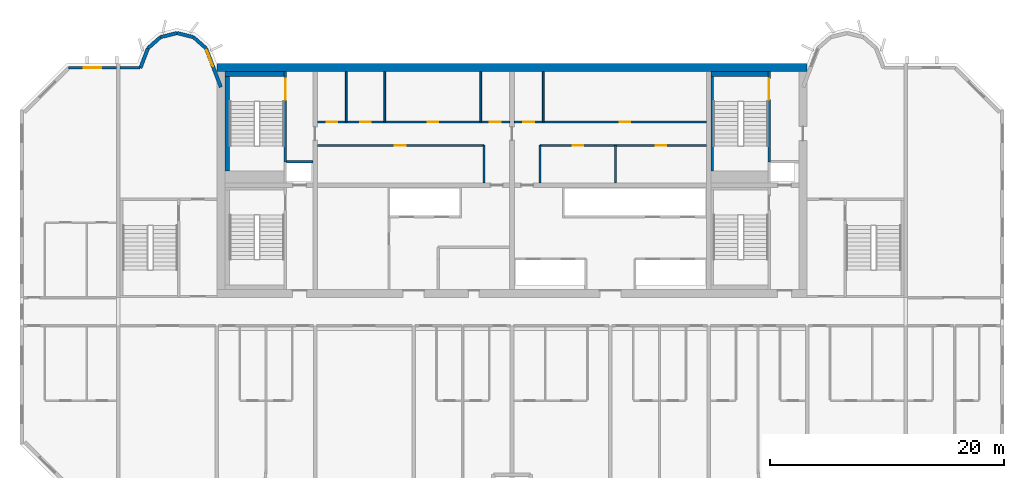
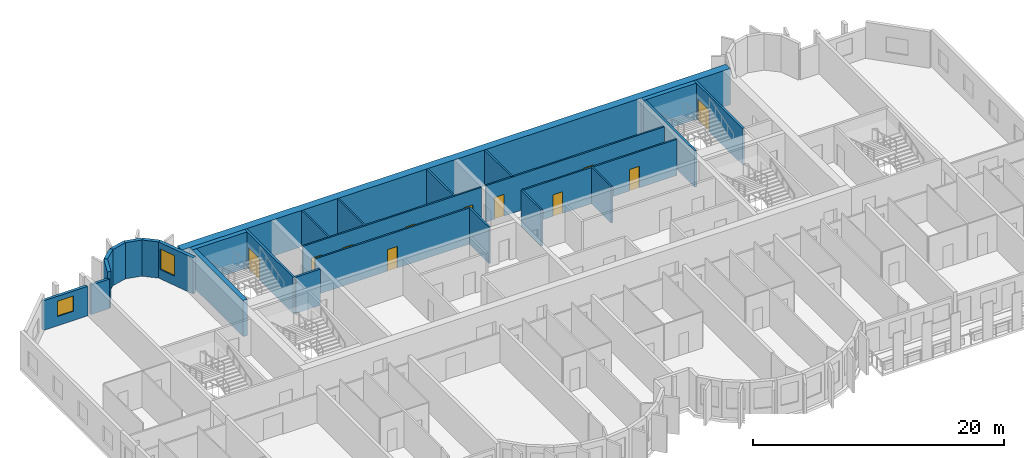
# One storey, part 7 of 13: 27 walls, 11 doors, 2 windows, 13 openings.
"""IFC4 building model written with IfcOpenShell, lengths in metres."""

import ifcopenshell
import ifcopenshell.guid

model = None  # the IFC model being written
_history = None  # IfcOwnerHistory: only IFC2X3 demands one
_inside = {}  # id of a spatial element -> (the spatial element, [elements in it])
_under = {}  # id of a project, library or spatial element -> (it, [spatial elements below it])
_declared = {}  # id of a project -> (the project, [libraries it declares])
_typed = {}  # id of a type object -> (the type object, [elements of that type])
_made_of = {}  # id of a material, layer set ... -> (it, [elements and type objects made of it])


def new_model(schema):
    """Start an empty IFC model of exactly this schema.

    Asked for "IFC4X3", IfcOpenShell would pick the latest addendum, in which some entities
    have other attributes; the version numbers below select the first issue.
    IFC2X3 requires an IfcOwnerHistory on every rooted entity: one is made here for all.
    """
    global model, _history
    if schema == "IFC4X3":
        model = ifcopenshell.file(schema_version=(4, 3, 0, 0))
    else:
        model = ifcopenshell.file(schema=schema)
    _inside.clear()
    _under.clear()
    _declared.clear()
    _typed.clear()
    _made_of.clear()
    _history = None
    if model.schema == "IFC2X3":
        org = make("IfcOrganization", Name="unknown")
        user = make(
            "IfcPersonAndOrganization",
            ThePerson=make("IfcPerson", FamilyName="unknown"),
            TheOrganization=org,
        )
        app = make(
            "IfcApplication",
            ApplicationDeveloper=org,
            Version="unknown",
            ApplicationFullName="unknown",
            ApplicationIdentifier="unknown",
        )
        _history = make(
            "IfcOwnerHistory",
            OwningUser=user,
            OwningApplication=app,
            ChangeAction="ADDED",
            CreationDate=0,
        )
    return model


def make(cls, **values):
    """One entity of the class cls with the attributes given. An attribute that is None is left unset."""
    return model.create_entity(
        cls, **{name: value for name, value in values.items() if value is not None}
    )


def rooted(cls, **values):
    """An entity with a GlobalId (a new one), such as an element, a storey or a relation."""
    return make(cls, GlobalId=ifcopenshell.guid.new(), OwnerHistory=_history, **values)


def si_unit(unit_type, name, prefix=None):
    """IfcSIUnit, for example si_unit("LENGTHUNIT", "METRE", prefix="MILLI")."""
    return make("IfcSIUnit", UnitType=unit_type, Prefix=prefix, Name=name)


def assignment(units):
    """IfcUnitAssignment: the units of a project."""
    return None if units is None else make("IfcUnitAssignment", Units=units)


def point(xyz):
    """IfcCartesianPoint."""
    return None if xyz is None else make("IfcCartesianPoint", Coordinates=xyz)


def direction(xyz):
    """IfcDirection."""
    return None if xyz is None else make("IfcDirection", DirectionRatios=xyz)


def frame(location, z_axis=None, x_axis=None):
    """IfcAxis2Placement3D, a coordinate frame: its origin and axes. An axis left out is left unset."""
    return make(
        "IfcAxis2Placement3D",
        Location=point(location),
        Axis=direction(z_axis),
        RefDirection=direction(x_axis),
    )


def frame_2d(location, x_axis=None):
    """IfcAxis2Placement2D, a coordinate frame in the plane: its origin and x axis."""
    return make(
        "IfcAxis2Placement2D", Location=point(location), RefDirection=direction(x_axis)
    )


def origin():
    """The frame at (0, 0, 0) with its axes left unset."""
    return frame((0.0, 0.0, 0.0))


def place(relative_to, where):
    """IfcLocalPlacement: puts the frame where relative to a parent placement (None: the world)."""
    return make(
        "IfcLocalPlacement", PlacementRelTo=relative_to, RelativePlacement=where
    )


def context(
    kind, dimensions, precision=None, world=None, true_north=None, identifier=None
):
    """IfcGeometricRepresentationContext, for example the 3D "Model" context."""
    return make(
        "IfcGeometricRepresentationContext",
        ContextIdentifier=identifier,
        ContextType=kind,
        CoordinateSpaceDimension=dimensions,
        Precision=precision,
        WorldCoordinateSystem=world,
        TrueNorth=true_north,
    )


def subcontext(parent, identifier, kind, view, scale=None):
    """IfcGeometricRepresentationSubContext, for example "Body" below "Model"."""
    return make(
        "IfcGeometricRepresentationSubContext",
        ContextIdentifier=identifier,
        ContextType=kind,
        ParentContext=parent,
        TargetScale=scale,
        TargetView=view,
    )


def project(units=None, contexts=None):
    """IfcProject with its units and contexts."""
    return rooted(
        "IfcProject",
        Name="project",
        RepresentationContexts=contexts,
        UnitsInContext=assignment(units),
    )


def spatial(cls, under=None, at=None, **own):
    """A site, building, storey or space (cls), placed at a placement, below another one or the project."""
    s = rooted(cls, ObjectPlacement=at, **own)
    if under is not None:
        _under.setdefault(under.id(), (under, []))[1].append(s)
    return s


def profile(cls, at=None, kind="AREA", **sizes):
    """A parametric profile (cls). Its sizes go by their IFC names, for example OverallWidth=200.0."""
    return make(cls, ProfileType=kind, Position=at, **sizes)


def rectangle(**sizes):
    """IfcRectangleProfileDef."""
    return profile("IfcRectangleProfileDef", **sizes)


def extrude(swept, where, along, depth):
    """IfcExtrudedAreaSolid: the profile swept, set in the frame where, extruded along a direction by depth."""
    return make(
        "IfcExtrudedAreaSolid",
        SweptArea=swept,
        Position=where,
        ExtrudedDirection=direction(along),
        Depth=depth,
    )


def shape(context_of_items, identifier, shape_type, items):
    """IfcShapeRepresentation: the items that make up one representation, for example the "Body"."""
    return make(
        "IfcShapeRepresentation",
        ContextOfItems=context_of_items,
        RepresentationIdentifier=identifier,
        RepresentationType=shape_type,
        Items=items,
    )


def source(mapping_origin, context_of_items, identifier, shape_type, items):
    """IfcRepresentationMap: a shape defined once, which mapped items show again and again."""
    return make(
        "IfcRepresentationMap",
        MappingOrigin=mapping_origin,
        MappedRepresentation=shape(context_of_items, identifier, shape_type, items),
    )


def transform(
    local_origin,
    x_axis=None,
    y_axis=None,
    z_axis=None,
    scale=None,
    scale2=None,
    scale3=None,
    uniform=True,
):
    """IfcCartesianTransformationOperator3D, or its non-uniform kind. x_axis, y_axis, z_axis: its Axis1, 2, 3."""
    if uniform:
        return make(
            "IfcCartesianTransformationOperator3D",
            Axis1=direction(x_axis),
            Axis2=direction(y_axis),
            LocalOrigin=point(local_origin),
            Scale=scale,
            Axis3=direction(z_axis),
        )
    return make(
        "IfcCartesianTransformationOperator3DnonUniform",
        Axis1=direction(x_axis),
        Axis2=direction(y_axis),
        LocalOrigin=point(local_origin),
        Scale=scale,
        Axis3=direction(z_axis),
        Scale2=scale2,
        Scale3=scale3,
    )


def mapped(mapping_source, mapping_target):
    """IfcMappedItem: shows the shape of a source again, moved by a transform."""
    return make(
        "IfcMappedItem", MappingSource=mapping_source, MappingTarget=mapping_target
    )


def material(Name=None, Category=None):
    """IfcMaterial."""
    return make("IfcMaterial", Name=Name, Category=Category)


def layer(
    of_material, thickness, ventilated=None, Name=None, Category=None, Priority=None
):
    """IfcMaterialLayer: one layer of a wall or slab, of a material (None: an air gap)."""
    return make(
        "IfcMaterialLayer",
        Material=of_material,
        LayerThickness=thickness,
        IsVentilated=ventilated,
        Name=Name,
        Category=Category,
        Priority=Priority,
    )


def layer_set(layers, Name=None):
    """IfcMaterialLayerSet."""
    return make("IfcMaterialLayerSet", MaterialLayers=layers, LayerSetName=Name)


def made_of(thing, what):
    """Note that an element or type object is made of a material, layer set ...; save() writes the relation."""
    if what is not None:
        _made_of.setdefault(what.id(), (what, []))[1].append(thing)
    return thing


def type_object(cls, material=None, **own):
    """A type object (cls), such as IfcWallType, which elements share."""
    return made_of(rooted(cls, **own), material)


def element(
    cls,
    number,
    at=None,
    inside=None,
    cuts=None,
    type_object=None,
    material=None,
    context=None,
    identifier="Body",
    shape_type=None,
    held_by="IfcProductDefinitionShape",
    body=None,
    shapes=None,
    **own,
):
    """One element of the class cls, such as IfcWall. Its Tag is "e" and its number.

    at: its placement. inside: the storey or other place that contains it. cuts: it is an
    opening in that element (IfcRelVoidsElement). A single representation is given by context,
    identifier, shape_type and body (its items); several are given by shapes. held_by: the class
    of the entity that holds the representations. save() writes the other relations.
    """
    e = rooted(cls, Tag="e%d" % number, ObjectPlacement=at, **own)
    if body is not None:
        shapes = [shape(context, identifier, shape_type, body)]
    if shapes is not None:
        e.Representation = make(held_by, Representations=shapes)
    if inside is not None:
        _inside.setdefault(inside.id(), (inside, []))[1].append(e)
    if cuts is not None:
        rooted(
            "IfcRelVoidsElement", RelatingBuildingElement=cuts, RelatedOpeningElement=e
        )
    if type_object is not None:
        _typed.setdefault(type_object.id(), (type_object, []))[1].append(e)
    return made_of(e, material)


def fill(opening, filler):
    """IfcRelFillsElement: the door or window that sits in an opening."""
    return rooted(
        "IfcRelFillsElement",
        RelatingOpeningElement=opening,
        RelatedBuildingElement=filler,
    )


def aggregate(whole, parts):
    """IfcRelAggregates: a whole, such as a stair, and the parts it consists of."""
    return rooted("IfcRelAggregates", RelatingObject=whole, RelatedObjects=parts)


def save(model, path):
    """Write the relations noted so far, then the file.

    IfcRelAggregates (storeys below a building ...), IfcRelContainedInSpatialStructure (elements
    in a storey), IfcRelDefinesByType, IfcRelAssociatesMaterial and IfcRelDeclares: one each for
    every whole, place, type object, material and project.
    """
    for whole, parts in _under.values():
        aggregate(whole, parts)
    for where, things in _inside.values():
        rooted(
            "IfcRelContainedInSpatialStructure",
            RelatedElements=things,
            RelatingStructure=where,
        )
    for kind, things in _typed.values():
        rooted("IfcRelDefinesByType", RelatedObjects=things, RelatingType=kind)
    for what, things in _made_of.values():
        rooted("IfcRelAssociatesMaterial", RelatedObjects=things, RelatingMaterial=what)
    for by, libraries in _declared.values():
        rooted("IfcRelDeclares", RelatingContext=by, RelatedDefinitions=libraries)
    model.write(path)


model = new_model("IFC4")

# Units and contexts
model_context = context("Model", 3, precision=1e-05, world=origin(), true_north=direction((0.0, 1.0)))
body_context = subcontext(model_context, "Body", "Model", "MODEL_VIEW")
ifc_project = project(units=[si_unit("LENGTHUNIT", "METRE"), si_unit("AREAUNIT", "SQUARE_METRE"), si_unit("VOLUMEUNIT", "CUBIC_METRE"), si_unit("PLANEANGLEUNIT", "RADIAN"), si_unit("MASSUNIT", "GRAM", prefix="KILO")], contexts=[model_context])

# Site, building, storey
site_placement = place(None, origin())
site = spatial("IfcSite", under=ifc_project, at=site_placement, CompositionType="ELEMENT")
building_placement = place(site_placement, origin())
building = spatial("IfcBuilding", under=site, at=building_placement, Name="Vanashikhar Sky Hotel", CompositionType="ELEMENT")
storey_placement = place(building_placement, frame((0.0, 0.0, 151.60009765625)))
storey = spatial("IfcBuildingStorey", under=building, at=storey_placement, Name="L36", CompositionType="ELEMENT", Elevation=151.60009765625)

# Wall
ifc_material_1 = material(Name="Concrete M60", Category="concrete")
ifc_layer_1 = layer(ifc_material_1, 0.699951171875)
ifc_layer_set_1 = layer_set([ifc_layer_1], Name="RC core shell wall 700 Concrete M60")
wall_type_1 = type_object("IfcWallType", Name="RC core shell wall 700 Concrete M60", PredefinedType="SHEAR", material=ifc_layer_set_1)
shared_shape_1 = source(origin(), body_context, "Body", "SweptSolid", [
    extrude(rectangle(XDim=50.400146484375, YDim=0.699951171875, at=frame_2d((25.2001953125, 0.0))), origin(), (0.0, 0.0, 1.0), 3.52001953125),
])
wall_1_placement = place(storey_placement, frame((25.199951171875, 41.64990234375, 0.0), z_axis=(0.0, 0.0, 1.0), x_axis=(1.0, 0.0, 0.0)))
element("IfcWall", 1, at=wall_1_placement, inside=storey, type_object=wall_type_1, Name="KW-L36-KN", PredefinedType="SHEAR", context=body_context, shape_type="MappedRepresentation", body=[
    mapped(shared_shape_1, transform((0.0, 0.0, 0.0), scale=1.0)),
])

# Wall, opening, window
ifc_material_2 = material(Name="Concrete M50", Category="concrete")
ifc_layer_2 = layer(ifc_material_2, 0.300048828125)
ifc_layer_set_2 = layer_set([ifc_layer_2], Name="Lobe wall 300")
wall_type_2 = type_object("IfcWallType", Name="Lobe wall 300", PredefinedType="SOLIDWALL", material=ifc_layer_set_2)
shared_shape_2 = source(origin(), body_context, "Body", "SweptSolid", [
    extrude(rectangle(XDim=3.55908203125, YDim=0.300048828125, at=frame_2d((1.779541015625, 0.0))), origin(), (0.0, 0.0, 1.0), 3.52001953125),
])
wall_2_placement = place(storey_placement, frame((25.550048828125, 39.968505859375, 0.0), z_axis=(0.0, 0.0, 1.0), x_axis=(-0.35779745313, 0.933799219604, 0.0)))
wall_2 = element("IfcWall", 2, at=wall_2_placement, inside=storey, type_object=wall_type_2, Name="Lobe wall", PredefinedType="SOLIDWALL", context=body_context, shape_type="MappedRepresentation", body=[
    mapped(shared_shape_2, transform((0.0, 0.0, 0.0), scale=1.0)),
])
shared_shape_3 = source(origin(), body_context, "Body", "SweptSolid", [
    extrude(rectangle(XDim=1.5, YDim=2.0, at=frame_2d((0.75, 1.0))), frame((0.0, 0.16015625, 0.0), z_axis=(0.0, -1.0, 0.0), x_axis=(1.0, 0.0, 0.0)), (0.0, 0.0, 1.0), 0.320068359375),
])
opening_1_placement = place(wall_2_placement, frame((1.9033203125, 0.0, 0.89990234375)))
opening_1 = element("IfcOpeningElement", 3, at=opening_1_placement, cuts=wall_2, Name="Opening WN-2", PredefinedType="OPENING", context=body_context, shape_type="MappedRepresentation", body=[
    mapped(shared_shape_3, transform((0.0, 0.0, 0.0), scale=1.0)),
])
ifc_material_3 = material(Name="Glass", Category="glass")
window_type_1 = type_object("IfcWindowType", Name="Lobe window 1500 x 2000", PartitioningType="SINGLE_PANEL", PredefinedType="WINDOW", material=ifc_material_3)
shared_shape_4 = source(origin(), body_context, "Body", "SweptSolid", [
    extrude(rectangle(XDim=1.5, YDim=2.0, at=frame_2d((0.75, 1.0))), frame((0.0, 0.030029296875, 0.0), z_axis=(0.0, -1.0, 0.0), x_axis=(1.0, 0.0, 0.0)), (0.0, 0.0, 1.0), 0.06005859375),
])
window_1_placement = place(opening_1_placement, origin())
window_1 = element("IfcWindow", 4, at=window_1_placement, inside=storey, type_object=window_type_1, Name="Window WN-2", OverallHeight=2.0, OverallWidth=1.5, PartitioningType="SINGLE_PANEL", PredefinedType="WINDOW", context=body_context, shape_type="MappedRepresentation", body=[
    mapped(shared_shape_4, transform((0.0, 0.0, 0.0), scale=1.0)),
])
fill(opening_1, window_1)

# Walls
shared_shape_5 = source(origin(), body_context, "Body", "SweptSolid", [
    extrude(rectangle(XDim=1.440185546875, YDim=0.300048828125, at=frame_2d((0.72021484375, 0.0))), origin(), (0.0, 0.0, 1.0), 3.52001953125),
])
wall_3_placement = place(storey_placement, frame((24.276611328125, 43.2919921875, 0.0), z_axis=(0.0, 0.0, 1.0), x_axis=(-0.749649827867, 0.661834673902, 0.0)))
element("IfcWall", 5, at=wall_3_placement, inside=storey, type_object=wall_type_2, Name="Lobe wall", PredefinedType="SOLIDWALL", context=body_context, shape_type="MappedRepresentation", body=[
    mapped(shared_shape_5, transform((0.0, 0.0, 0.0), scale=1.0)),
])
shared_shape_6 = source(origin(), body_context, "Body", "SweptSolid", [
    extrude(rectangle(XDim=1.4384765625, YDim=0.300048828125, at=frame_2d((0.71923828125, 0.0))), origin(), (0.0, 0.0, 1.0), 3.52001953125),
])
wall_4_placement = place(storey_placement, frame((23.197021484375, 44.2451171875, 0.0), z_axis=(0.0, 0.0, 1.0), x_axis=(-0.971152283879, 0.238460146601, 0.0)))
element("IfcWall", 6, at=wall_4_placement, inside=storey, type_object=wall_type_2, Name="Lobe wall", PredefinedType="SOLIDWALL", context=body_context, shape_type="MappedRepresentation", body=[
    mapped(shared_shape_6, transform((0.0, 0.0, 0.0), scale=1.0)),
])
shared_shape_7 = source(origin(), body_context, "Body", "SweptSolid", [
    extrude(rectangle(XDim=1.438720703125, YDim=0.300048828125, at=frame_2d((0.71923828125, 0.0))), origin(), (0.0, 0.0, 1.0), 3.52001953125),
])
wall_5_placement = place(storey_placement, frame((21.800048828125, 44.588134765625, 0.0), z_axis=(0.0, 0.0, 1.0), x_axis=(-0.971161932466, -0.238420848351, 0.0)))
element("IfcWall", 7, at=wall_5_placement, inside=storey, type_object=wall_type_2, Name="Lobe wall", PredefinedType="SOLIDWALL", context=body_context, shape_type="MappedRepresentation", body=[
    mapped(shared_shape_7, transform((0.0, 0.0, 0.0), scale=1.0)),
])
shared_shape_8 = source(origin(), body_context, "Body", "SweptSolid", [
    extrude(rectangle(XDim=1.43994140625, YDim=0.300048828125, at=frame_2d((0.719970703125, 0.0))), origin(), (0.0, 0.0, 1.0), 3.52001953125),
])
wall_6_placement = place(storey_placement, frame((20.40283203125, 44.2451171875, 0.0), z_axis=(0.0, 0.0, 1.0), x_axis=(-0.74957555648, -0.661918790432, 0.0)))
element("IfcWall", 8, at=wall_6_placement, inside=storey, type_object=wall_type_2, Name="Lobe wall", PredefinedType="SOLIDWALL", context=body_context, shape_type="MappedRepresentation", body=[
    mapped(shared_shape_8, transform((0.0, 0.0, 0.0), scale=1.0)),
])
shared_shape_9 = source(origin(), body_context, "Body", "SweptSolid", [
    extrude(rectangle(XDim=1.81201171875, YDim=0.300048828125, at=frame_2d((0.906005859375, 0.0))), origin(), (0.0, 0.0, 1.0), 3.52001953125),
])
wall_7_placement = place(storey_placement, frame((19.323486328125, 43.2919921875, 0.0), z_axis=(0.0, 0.0, 1.0), x_axis=(-0.357877270961, -0.93376863244, 0.0)))
element("IfcWall", 9, at=wall_7_placement, inside=storey, type_object=wall_type_2, Name="Lobe wall", PredefinedType="SOLIDWALL", context=body_context, shape_type="MappedRepresentation", body=[
    mapped(shared_shape_9, transform((0.0, 0.0, 0.0), scale=1.0)),
])
ifc_layer_3 = layer(ifc_material_2, 0.25)
ifc_layer_set_3 = layer_set([ifc_layer_3], Name="Rear and end board-marked wall 250")
wall_type_3 = type_object("IfcWallType", Name="Rear and end board-marked wall 250", PredefinedType="SOLIDWALL", material=ifc_layer_set_3)
shared_shape_10 = source(origin(), body_context, "Body", "SweptSolid", [
    extrude(rectangle(XDim=1.7080078125, YDim=0.25, at=frame_2d((0.85400390625, 0.0))), origin(), (0.0, 0.0, 1.0), 2.869873046875),
])
wall_8_placement = place(storey_placement, frame((18.657958984375, 41.625, 0.0), z_axis=(0.0, 0.0, 1.0), x_axis=(-1.0, 0.0, 0.0)))
element("IfcWall", 10, at=wall_8_placement, inside=storey, type_object=wall_type_3, Name="Rear board-marked wall", PredefinedType="SOLIDWALL", context=body_context, shape_type="MappedRepresentation", body=[
    mapped(shared_shape_10, transform((0.0, 0.0, 0.0), scale=1.0)),
])

# Wall, opening, window
shared_shape_11 = source(origin(), body_context, "Body", "SweptSolid", [
    extrude(rectangle(XDim=4.094482421875, YDim=0.25, at=frame_2d((2.04736328125, 0.0))), origin(), (0.0, 0.0, 1.0), 2.869873046875),
])
wall_9_placement = place(storey_placement, frame((16.64990234375, 41.625, 0.0), z_axis=(0.0, 0.0, 1.0), x_axis=(-1.0, 0.0, 0.0)))
wall_9 = element("IfcWall", 11, at=wall_9_placement, inside=storey, type_object=wall_type_3, Name="Rear board-marked wall", PredefinedType="SOLIDWALL", context=body_context, shape_type="MappedRepresentation", body=[
    mapped(shared_shape_11, transform((0.0, 0.0, 0.0), scale=1.0)),
])
shared_shape_12 = source(origin(), body_context, "Body", "SweptSolid", [
    extrude(rectangle(XDim=1.5, YDim=1.5, at=frame_2d((0.75, 0.75))), frame((0.0, 0.135009765625, 0.0), z_axis=(0.0, -1.0, 0.0), x_axis=(1.0, 0.0, 0.0)), (0.0, 0.0, 1.0), 0.27001953125),
])
opening_2_placement = place(wall_9_placement, frame((1.29736328125, 0.0, 0.89990234375)))
opening_2 = element("IfcOpeningElement", 12, at=opening_2_placement, cuts=wall_9, Name="Opening WN-1", PredefinedType="OPENING", context=body_context, shape_type="MappedRepresentation", body=[
    mapped(shared_shape_12, transform((0.0, 0.0, 0.0), scale=1.0)),
])
window_type_2 = type_object("IfcWindowType", Name="Window 1500 x 1500", PartitioningType="SINGLE_PANEL", PredefinedType="WINDOW", material=ifc_material_3)
shared_shape_13 = source(origin(), body_context, "Body", "SweptSolid", [
    extrude(rectangle(XDim=1.5, YDim=1.5, at=frame_2d((0.75, 0.75))), frame((0.0, 0.030029296875, 0.0), z_axis=(0.0, -1.0, 0.0), x_axis=(1.0, 0.0, 0.0)), (0.0, 0.0, 1.0), 0.06005859375),
])
window_2_placement = place(opening_2_placement, origin())
window_2 = element("IfcWindow", 13, at=window_2_placement, inside=storey, type_object=window_type_2, Name="Window WN-1", OverallHeight=1.5, OverallWidth=1.5, PartitioningType="SINGLE_PANEL", PredefinedType="WINDOW", context=body_context, shape_type="MappedRepresentation", body=[
    mapped(shared_shape_13, transform((0.0, 0.0, 0.0), scale=1.0)),
])
fill(opening_2, window_2)

# Walls
ifc_material_4 = material(Name="Concrete M40", Category="concrete")
ifc_layer_4 = layer(ifc_material_4, 0.199951171875)
ifc_layer_set_4 = layer_set([ifc_layer_4], Name="Shaft wall 200")
wall_type_4 = type_object("IfcWallType", Name="Shaft wall 200", PredefinedType="SOLIDWALL", material=ifc_layer_set_4)
shared_shape_14 = source(origin(), body_context, "Body", "SweptSolid", [
    extrude(rectangle(XDim=2.25, YDim=0.199951171875, at=frame_2d((1.125, 0.0))), origin(), (0.0, 0.0, 1.0), 3.52001953125),
])
wall_10_placement = place(storey_placement, frame((31.14990234375, 33.60009765625, 0.0), z_axis=(0.0, 0.0, 1.0), x_axis=(1.0, 0.0, 0.0)))
element("IfcWall", 14, at=wall_10_placement, inside=storey, type_object=wall_type_4, Name="Shaft wall 200", PredefinedType="SOLIDWALL", context=body_context, shape_type="MappedRepresentation", body=[
    mapped(shared_shape_14, transform((0.0, 0.0, 0.0), scale=1.0)),
])
ifc_layer_5 = layer(ifc_material_2, 0.199951171875)
ifc_layer_set_5 = layer_set([ifc_layer_5], Name="Stair infill wall 200")
wall_type_5 = type_object("IfcWallType", Name="Stair infill wall 200", PredefinedType="SOLIDWALL", material=ifc_layer_set_5)
shared_shape_15 = source(origin(), body_context, "Body", "SweptSolid", [
    extrude(rectangle(XDim=8.099853515625, YDim=0.199951171875, at=frame_2d((4.0498046875, 0.0))), origin(), (0.0, 0.0, 1.0), 3.52001953125),
])
wall_11_placement = place(storey_placement, frame((67.5, 32.800048828125, 0.0), z_axis=(0.0, 0.0, 1.0), x_axis=(0.0, 1.0, 0.0)))
element("IfcWall", 15, at=wall_11_placement, inside=storey, type_object=wall_type_5, Name="Stair infill wall 200", PredefinedType="SOLIDWALL", context=body_context, shape_type="MappedRepresentation", body=[
    mapped(shared_shape_15, transform((0.0, 0.0, 0.0), scale=1.0)),
])
ifc_material_5 = material(Name="Gypsum board partition")
ifc_layer_6 = layer(ifc_material_5, 0.14990234375)
ifc_layer_set_6 = layer_set([ifc_layer_6], Name="Service partition 150")
wall_type_6 = type_object("IfcWallType", Name="Service partition 150", PredefinedType="PARTITIONING", material=ifc_layer_set_6)
shared_shape_16 = source(origin(), body_context, "Body", "SweptSolid", [
    extrude(rectangle(XDim=3.199951171875, YDim=0.14990234375, at=frame_2d((1.60009765625, 0.0))), origin(), (0.0, 0.0, 1.0), 3.52001953125),
])
for number, where, z_axis, x_axis, name in (
    (16, (48.0, 31.800048828125, 0.0), (0.0, 0.0, 1.0), (0.0, 1.0, 0.0), "Service partition 150"),
    (17, (52.800048828125, 31.800048828125, 0.0), (0.0, 0.0, 1.0), (0.0, 1.0, 0.0), "Service partition 150"),
    (18, (59.23095703125, 31.800048828125, 0.0), (0.0, 0.0, 1.0), (0.0, 1.0, 0.0), "Service partition 150"),
):
    element("IfcWall", number, at=place(storey_placement, frame(where, z_axis=z_axis, x_axis=x_axis)), inside=storey, type_object=wall_type_6, Name=name, PredefinedType="PARTITIONING", context=body_context, shape_type="MappedRepresentation", body=[
        mapped(shared_shape_16, transform((0.0, 0.0, 0.0), scale=1.0)),
    ])

# Wall, opening, door
shared_shape_17 = source(origin(), body_context, "Body", "SweptSolid", [
    extrude(rectangle(XDim=14.199951171875, YDim=0.14990234375, at=frame_2d((7.10009765625, 0.0))), origin(), (0.0, 0.0, 1.0), 3.52001953125),
])
wall_12_placement = place(storey_placement, frame((33.800048828125, 35.0, 0.0), z_axis=(0.0, 0.0, 1.0), x_axis=(1.0, 0.0, 0.0)))
wall_12 = element("IfcWall", 19, at=wall_12_placement, inside=storey, type_object=wall_type_6, Name="Service partition 150", PredefinedType="PARTITIONING", context=body_context, shape_type="MappedRepresentation", body=[
    mapped(shared_shape_17, transform((0.0, 0.0, 0.0), scale=1.0)),
])
shared_shape_18 = source(origin(), body_context, "Body", "SweptSolid", [
    extrude(rectangle(XDim=0.89990234375, YDim=2.10009765625, at=frame_2d((0.449951171875, 1.050048828125))), frame((0.0, 0.0849609375, 0.0), z_axis=(0.0, -1.0, 0.0), x_axis=(1.0, 0.0, 0.0)), (0.0, 0.0, 1.0), 0.169921875),
])
opening_3_placement = place(wall_12_placement, frame((6.612060546875, 0.0, 0.0)))
opening_3 = element("IfcOpeningElement", 20, at=opening_3_placement, cuts=wall_12, Name="Opening DC-4-A", PredefinedType="OPENING", context=body_context, shape_type="MappedRepresentation", body=[
    mapped(shared_shape_18, transform((0.0, 0.0, 0.0), scale=1.0)),
])
ifc_material_6 = material(Name="Steel", Category="steel")
door_type_1 = type_object("IfcDoorType", Name="Service door 900 FD60", OperationType="NOTDEFINED", PredefinedType="DOOR", material=ifc_material_6)
shared_shape_19 = source(origin(), body_context, "Body", "SweptSolid", [
    extrude(rectangle(XDim=0.89990234375, YDim=2.10009765625, at=frame_2d((0.449951171875, 1.050048828125))), frame((0.0, 0.02490234375, 0.0), z_axis=(0.0, -1.0, 0.0), x_axis=(1.0, 0.0, 0.0)), (0.0, 0.0, 1.0), 0.050048828125),
])
door_1_placement = place(opening_3_placement, origin())
door_1 = element("IfcDoor", 21, at=door_1_placement, inside=storey, type_object=door_type_1, Name="Service door 900 FD60", OperationType="SINGLE_SWING_RIGHT", OverallHeight=2.10009765625, OverallWidth=0.89990234375, PredefinedType="DOOR", context=body_context, shape_type="MappedRepresentation", body=[
    mapped(shared_shape_19, transform((0.0, 0.0, 0.0), scale=1.0)),
])
fill(opening_3, door_1)

# Wall, openings, doors
wall_13_placement = place(storey_placement, frame((67.0, 35.0, 0.0), z_axis=(0.0, 0.0, 1.0), x_axis=(-1.0, 0.0, 0.0)))
wall_13 = element("IfcWall", 22, at=wall_13_placement, inside=storey, type_object=wall_type_6, Name="Service partition 150", PredefinedType="PARTITIONING", context=body_context, shape_type="MappedRepresentation", body=[
    mapped(shared_shape_17, transform((0.0, 0.0, 0.0), scale=1.0)),
])
opening_4_placement = place(wall_13_placement, frame((3.43408203125, 0.0, 0.0)))
opening_4 = element("IfcOpeningElement", 23, at=opening_4_placement, cuts=wall_13, Name="Opening DC-4-A", PredefinedType="OPENING", context=body_context, shape_type="MappedRepresentation", body=[
    mapped(shared_shape_18, transform((0.0, 0.0, 0.0), scale=1.0)),
])
opening_5_placement = place(wall_13_placement, frame((10.4970703125, 0.0, 0.0)))
opening_5 = element("IfcOpeningElement", 24, at=opening_5_placement, cuts=wall_13, Name="Opening DC-4-A", PredefinedType="OPENING", context=body_context, shape_type="MappedRepresentation", body=[
    mapped(shared_shape_18, transform((0.0, 0.0, 0.0), scale=1.0)),
])
door_2_placement = place(opening_4_placement, origin())
door_2 = element("IfcDoor", 25, at=door_2_placement, inside=storey, type_object=door_type_1, Name="Service door 900 FD60", OperationType="SINGLE_SWING_LEFT", OverallHeight=2.10009765625, OverallWidth=0.89990234375, PredefinedType="DOOR", context=body_context, shape_type="MappedRepresentation", body=[
    mapped(shared_shape_19, transform((0.0, 0.0, 0.0), scale=1.0)),
])
fill(opening_4, door_2)
door_3_placement = place(opening_5_placement, origin())
door_3 = element("IfcDoor", 26, at=door_3_placement, inside=storey, type_object=door_type_1, Name="Service door 900 FD60", OperationType="SINGLE_SWING_RIGHT", OverallHeight=2.10009765625, OverallWidth=0.89990234375, PredefinedType="DOOR", context=body_context, shape_type="MappedRepresentation", body=[
    mapped(shared_shape_19, transform((0.0, 0.0, 0.0), scale=1.0)),
])
fill(opening_5, door_3)

shared_shape_20 = source(origin(), body_context, "Body", "SweptSolid", [
    extrude(rectangle(XDim=16.39990234375, YDim=0.14990234375, at=frame_2d((8.199951171875, 0.0))), origin(), (0.0, 0.0, 1.0), 3.52001953125),
])
wall_14_placement = place(storey_placement, frame((33.800048828125, 37.0, 0.0), z_axis=(0.0, 0.0, 1.0), x_axis=(1.0, 0.0, 0.0)))
wall_14 = element("IfcWall", 27, at=wall_14_placement, inside=storey, type_object=wall_type_6, Name="Service partition 150", PredefinedType="PARTITIONING", context=body_context, shape_type="MappedRepresentation", body=[
    mapped(shared_shape_20, transform((0.0, 0.0, 0.0), scale=1.0)),
])
opening_6_placement = place(wall_14_placement, frame((0.780029296875, 0.0, 0.0)))
opening_6 = element("IfcOpeningElement", 28, at=opening_6_placement, cuts=wall_14, Name="Opening DC-4-A", PredefinedType="OPENING", context=body_context, shape_type="MappedRepresentation", body=[
    mapped(shared_shape_18, transform((0.0, 0.0, 0.0), scale=1.0)),
])
opening_7_placement = place(wall_14_placement, frame((3.64990234375, 0.0, 0.0)))
opening_7 = element("IfcOpeningElement", 29, at=opening_7_placement, cuts=wall_14, Name="Opening DC-4-A", PredefinedType="OPENING", context=body_context, shape_type="MappedRepresentation", body=[
    mapped(shared_shape_18, transform((0.0, 0.0, 0.0), scale=1.0)),
])
opening_8_placement = place(wall_14_placement, frame((9.389892578125, 0.0, 0.0)))
opening_8 = element("IfcOpeningElement", 30, at=opening_8_placement, cuts=wall_14, Name="Opening DC-4-A", PredefinedType="OPENING", context=body_context, shape_type="MappedRepresentation", body=[
    mapped(shared_shape_18, transform((0.0, 0.0, 0.0), scale=1.0)),
])
opening_9_placement = place(wall_14_placement, frame((14.719970703125, 0.0, 0.0)))
opening_9 = element("IfcOpeningElement", 31, at=opening_9_placement, cuts=wall_14, Name="Opening DC-4-A", PredefinedType="OPENING", context=body_context, shape_type="MappedRepresentation", body=[
    mapped(shared_shape_18, transform((0.0, 0.0, 0.0), scale=1.0)),
])
door_4_placement = place(opening_6_placement, origin())
door_4 = element("IfcDoor", 32, at=door_4_placement, inside=storey, type_object=door_type_1, Name="Service door 900 FD60", OperationType="SINGLE_SWING_RIGHT", OverallHeight=2.10009765625, OverallWidth=0.89990234375, PredefinedType="DOOR", context=body_context, shape_type="MappedRepresentation", body=[
    mapped(shared_shape_19, transform((0.0, 0.0, 0.0), scale=1.0)),
])
fill(opening_6, door_4)
door_5_placement = place(opening_7_placement, origin())
door_5 = element("IfcDoor", 33, at=door_5_placement, inside=storey, type_object=door_type_1, Name="Service door 900 FD60", OperationType="SINGLE_SWING_RIGHT", OverallHeight=2.10009765625, OverallWidth=0.89990234375, PredefinedType="DOOR", context=body_context, shape_type="MappedRepresentation", body=[
    mapped(shared_shape_19, transform((0.0, 0.0, 0.0), scale=1.0)),
])
fill(opening_7, door_5)
door_6_placement = place(opening_8_placement, origin())
door_6 = element("IfcDoor", 34, at=door_6_placement, inside=storey, type_object=door_type_1, Name="Service door 900 FD60", OperationType="SINGLE_SWING_RIGHT", OverallHeight=2.10009765625, OverallWidth=0.89990234375, PredefinedType="DOOR", context=body_context, shape_type="MappedRepresentation", body=[
    mapped(shared_shape_19, transform((0.0, 0.0, 0.0), scale=1.0)),
])
fill(opening_8, door_6)
door_7_placement = place(opening_9_placement, origin())
door_7 = element("IfcDoor", 35, at=door_7_placement, inside=storey, type_object=door_type_1, Name="Service door 900 FD60", OperationType="SINGLE_SWING_LEFT", OverallHeight=2.10009765625, OverallWidth=0.89990234375, PredefinedType="DOOR", context=body_context, shape_type="MappedRepresentation", body=[
    mapped(shared_shape_19, transform((0.0, 0.0, 0.0), scale=1.0)),
])
fill(opening_9, door_7)

wall_15_placement = place(storey_placement, frame((67.0, 37.0, 0.0), z_axis=(0.0, 0.0, 1.0), x_axis=(-1.0, 0.0, 0.0)))
wall_15 = element("IfcWall", 36, at=wall_15_placement, inside=storey, type_object=wall_type_6, Name="Service partition 150", PredefinedType="PARTITIONING", context=body_context, shape_type="MappedRepresentation", body=[
    mapped(shared_shape_20, transform((0.0, 0.0, 0.0), scale=1.0)),
])
opening_10_placement = place(wall_15_placement, frame((6.52001953125, 0.0, 0.0)))
opening_10 = element("IfcOpeningElement", 37, at=opening_10_placement, cuts=wall_15, Name="Opening DC-4-A", PredefinedType="OPENING", context=body_context, shape_type="MappedRepresentation", body=[
    mapped(shared_shape_18, transform((0.0, 0.0, 0.0), scale=1.0)),
])
opening_11_placement = place(wall_15_placement, frame((14.719970703125, 0.0, 0.0)))
opening_11 = element("IfcOpeningElement", 38, at=opening_11_placement, cuts=wall_15, Name="Opening DC-4-A", PredefinedType="OPENING", context=body_context, shape_type="MappedRepresentation", body=[
    mapped(shared_shape_18, transform((0.0, 0.0, 0.0), scale=1.0)),
])
door_8_placement = place(opening_10_placement, origin())
door_8 = element("IfcDoor", 39, at=door_8_placement, inside=storey, type_object=door_type_1, Name="Service door 900 FD60", OperationType="SINGLE_SWING_RIGHT", OverallHeight=2.10009765625, OverallWidth=0.89990234375, PredefinedType="DOOR", context=body_context, shape_type="MappedRepresentation", body=[
    mapped(shared_shape_19, transform((0.0, 0.0, 0.0), scale=1.0)),
])
fill(opening_10, door_8)
door_9_placement = place(opening_11_placement, origin())
door_9 = element("IfcDoor", 40, at=door_9_placement, inside=storey, type_object=door_type_1, Name="Service door 900 FD60", OperationType="SINGLE_SWING_LEFT", OverallHeight=2.10009765625, OverallWidth=0.89990234375, PredefinedType="DOOR", context=body_context, shape_type="MappedRepresentation", body=[
    mapped(shared_shape_19, transform((0.0, 0.0, 0.0), scale=1.0)),
])
fill(opening_11, door_9)

# Walls
shared_shape_21 = source(origin(), body_context, "Body", "SweptSolid", [
    extrude(rectangle(XDim=4.300048828125, YDim=0.14990234375, at=frame_2d((2.14990234375, 0.0))), origin(), (0.0, 0.0, 1.0), 3.52001953125),
])
for number, where, z_axis, x_axis, name in (
    (41, (36.260009765625, 37.0, 0.0), (0.0, 0.0, 1.0), (0.0, 1.0, 0.0), "Service partition 150"),
    (42, (39.5400390625, 37.0, 0.0), (0.0, 0.0, 1.0), (0.0, 1.0, 0.0), "Service partition 150"),
    (43, (47.739990234375, 37.0, 0.0), (0.0, 0.0, 1.0), (0.0, 1.0, 0.0), "Service partition 150"),
    (44, (53.06005859375, 37.0, 0.0), (0.0, 0.0, 1.0), (0.0, 1.0, 0.0), "Service partition 150"),
):
    element("IfcWall", number, at=place(storey_placement, frame(where, z_axis=z_axis, x_axis=x_axis)), inside=storey, type_object=wall_type_6, Name=name, PredefinedType="PARTITIONING", context=body_context, shape_type="MappedRepresentation", body=[
        mapped(shared_shape_21, transform((0.0, 0.0, 0.0), scale=1.0)),
    ])

# Wall, opening, door
ifc_layer_7 = layer(ifc_material_2, 0.199951171875)
ifc_layer_set_7 = layer_set([ifc_layer_7], Name="Stair wall 200")
wall_type_7 = type_object("IfcWallType", Name="Stair wall 200", PredefinedType="SOLIDWALL", material=ifc_layer_set_7)
shared_shape_22 = source(origin(), body_context, "Body", "SweptSolid", [
    extrude(rectangle(XDim=7.699951171875, YDim=0.199951171875, at=frame_2d((3.85009765625, 0.0))), origin(), (0.0, 0.0, 1.0), 3.52001953125),
])
wall_16_placement = place(storey_placement, frame((31.050048828125, 33.60009765625, 0.0), z_axis=(0.0, 0.0, 1.0), x_axis=(0.0, 1.0, 0.0)))
wall_16 = element("IfcWall", 45, at=wall_16_placement, inside=storey, type_object=wall_type_7, Name="Stair wall 200", PredefinedType="SOLIDWALL", context=body_context, shape_type="MappedRepresentation", body=[
    mapped(shared_shape_22, transform((0.0, 0.0, 0.0), scale=1.0)),
])
shared_shape_23 = source(origin(), body_context, "Body", "SweptSolid", [
    extrude(rectangle(XDim=1.800048828125, YDim=2.10009765625, at=frame_2d((0.89990234375, 1.050048828125))), frame((0.0, 0.10986328125, 0.0), z_axis=(0.0, -1.0, 0.0), x_axis=(1.0, 0.0, 0.0)), (0.0, 0.0, 1.0), 0.219970703125),
])
opening_12_placement = place(wall_16_placement, frame((5.300048828125, 0.0, 0.0)))
opening_12 = element("IfcOpeningElement", 46, at=opening_12_placement, cuts=wall_16, Name="Opening DC-1-A", PredefinedType="OPENING", context=body_context, shape_type="MappedRepresentation", body=[
    mapped(shared_shape_23, transform((0.0, 0.0, 0.0), scale=1.0)),
])
door_type_2 = type_object("IfcDoorType", Name="Stair door 1800 FD120", OperationType="NOTDEFINED", PredefinedType="DOOR", material=ifc_material_6)
shared_shape_24 = source(origin(), body_context, "Body", "SweptSolid", [
    extrude(rectangle(XDim=1.800048828125, YDim=2.10009765625, at=frame_2d((0.89990234375, 1.050048828125))), frame((0.0, 0.02490234375, 0.0), z_axis=(0.0, -1.0, 0.0), x_axis=(1.0, 0.0, 0.0)), (0.0, 0.0, 1.0), 0.050048828125),
])
door_10_placement = place(opening_12_placement, origin())
door_10 = element("IfcDoor", 47, at=door_10_placement, inside=storey, type_object=door_type_2, Name="Stair door 1800 FD120", OperationType="SINGLE_SWING_LEFT", OverallHeight=2.10009765625, OverallWidth=1.800048828125, PredefinedType="DOOR", context=body_context, shape_type="MappedRepresentation", body=[
    mapped(shared_shape_24, transform((0.0, 0.0, 0.0), scale=1.0)),
])
fill(opening_12, door_10)

wall_17_placement = place(storey_placement, frame((72.35009765625, 33.60009765625, 0.0), z_axis=(0.0, 0.0, 1.0), x_axis=(0.0, 1.0, 0.0)))
wall_17 = element("IfcWall", 48, at=wall_17_placement, inside=storey, type_object=wall_type_7, Name="Stair wall 200", PredefinedType="SOLIDWALL", context=body_context, shape_type="MappedRepresentation", body=[
    mapped(shared_shape_22, transform((0.0, 0.0, 0.0), scale=1.0)),
])
opening_13_placement = place(wall_17_placement, frame((5.300048828125, 0.0, 0.0)))
opening_13 = element("IfcOpeningElement", 49, at=opening_13_placement, cuts=wall_17, Name="Opening DC-1-A", PredefinedType="OPENING", context=body_context, shape_type="MappedRepresentation", body=[
    mapped(shared_shape_23, transform((0.0, 0.0, 0.0), scale=1.0)),
])
door_11_placement = place(opening_13_placement, origin())
door_11 = element("IfcDoor", 50, at=door_11_placement, inside=storey, type_object=door_type_2, Name="Stair door 1800 FD120", OperationType="SINGLE_SWING_LEFT", OverallHeight=2.10009765625, OverallWidth=1.800048828125, PredefinedType="DOOR", context=body_context, shape_type="MappedRepresentation", body=[
    mapped(shared_shape_24, transform((0.0, 0.0, 0.0), scale=1.0)),
])
fill(opening_13, door_11)

# Walls
ifc_layer_8 = layer(ifc_material_2, 0.39990234375)
ifc_layer_set_8 = layer_set([ifc_layer_8], Name="Stair infill wall 400")
wall_type_8 = type_object("IfcWallType", Name="Stair infill wall 400", PredefinedType="SOLIDWALL", material=ifc_layer_set_8)
shared_shape_25 = source(origin(), body_context, "Body", "SweptSolid", [
    extrude(rectangle(XDim=5.050048828125, YDim=0.39990234375, at=frame_2d((2.52490234375, 0.0))), origin(), (0.0, 0.0, 1.0), 3.52001953125),
])
wall_18_placement = place(storey_placement, frame((25.89990234375, 41.10009765625, 0.0), z_axis=(0.0, 0.0, 1.0), x_axis=(1.0, 0.0, 0.0)))
element("IfcWall", 51, at=wall_18_placement, inside=storey, type_object=wall_type_8, Name="Stair infill wall 400", PredefinedType="SOLIDWALL", context=body_context, shape_type="MappedRepresentation", body=[
    mapped(shared_shape_25, transform((0.0, 0.0, 0.0), scale=1.0)),
])
shared_shape_26 = source(origin(), body_context, "Body", "SweptSolid", [
    extrude(rectangle(XDim=8.099853515625, YDim=0.39990234375, at=frame_2d((4.0498046875, 0.0))), origin(), (0.0, 0.0, 1.0), 3.52001953125),
])
wall_19_placement = place(storey_placement, frame((26.10009765625, 32.800048828125, 0.0), z_axis=(0.0, 0.0, 1.0), x_axis=(0.0, 1.0, 0.0)))
element("IfcWall", 52, at=wall_19_placement, inside=storey, type_object=wall_type_8, Name="Stair infill wall 400", PredefinedType="SOLIDWALL", context=body_context, shape_type="MappedRepresentation", body=[
    mapped(shared_shape_26, transform((0.0, 0.0, 0.0), scale=1.0)),
])
shared_shape_27 = source(origin(), body_context, "Body", "SweptSolid", [
    extrude(rectangle(XDim=4.85009765625, YDim=0.39990234375, at=frame_2d((2.425048828125, 0.0))), origin(), (0.0, 0.0, 1.0), 3.52001953125),
])
wall_20_placement = place(storey_placement, frame((67.39990234375, 41.10009765625, 0.0), z_axis=(0.0, 0.0, 1.0), x_axis=(1.0, 0.0, 0.0)))
element("IfcWall", 53, at=wall_20_placement, inside=storey, type_object=wall_type_8, Name="Stair infill wall 400", PredefinedType="SOLIDWALL", context=body_context, shape_type="MappedRepresentation", body=[
    mapped(shared_shape_27, transform((0.0, 0.0, 0.0), scale=1.0)),
])

save(model, "model.ifc")
